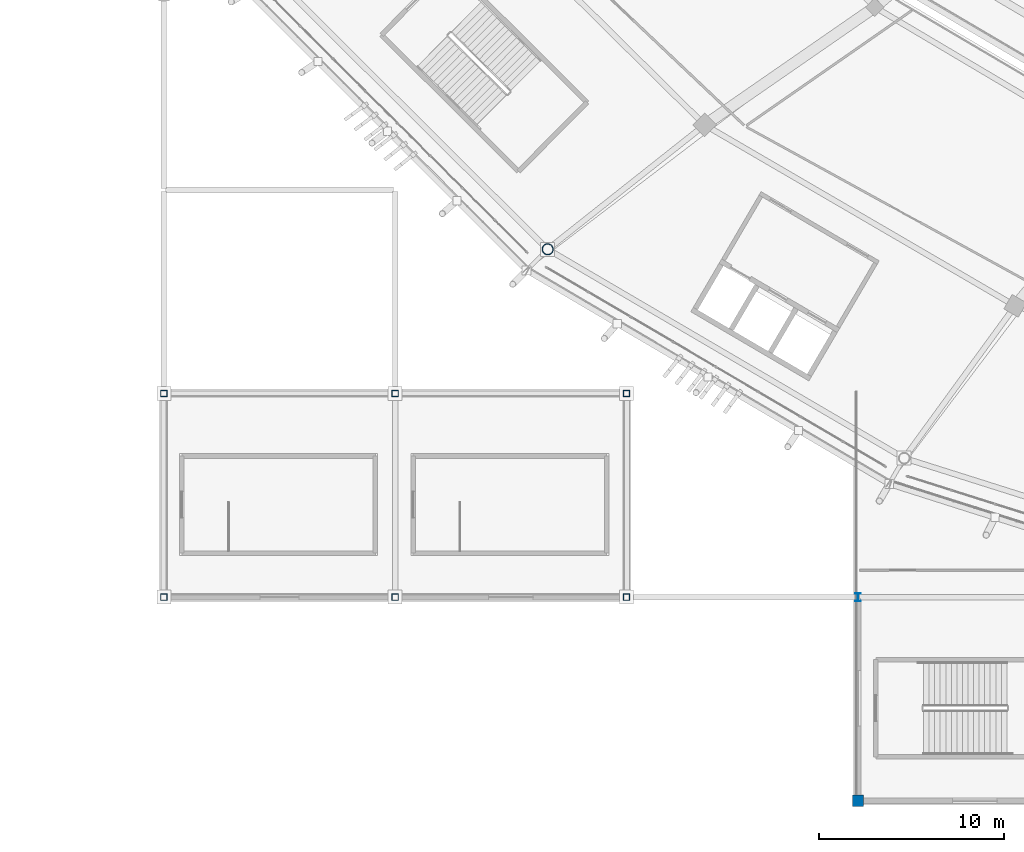
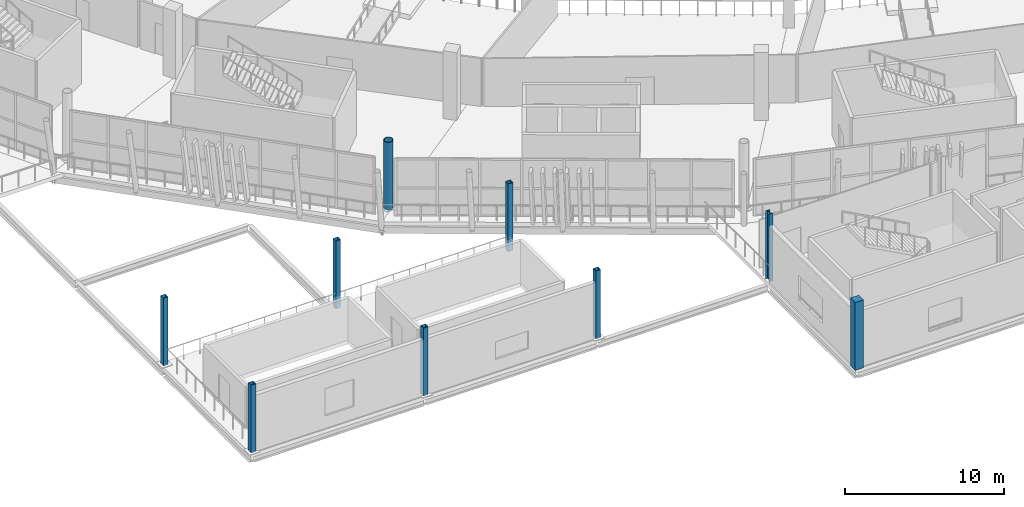
# One storey, part 1 of 178: 9 columns.
"""IFC4 building model written with IfcOpenShell, lengths in metres."""

from ifc_helpers import new_model, si_unit, direction, frame, origin, origin_2d, place, context, subcontext, project, spatial, rectangle, hollow_rectangle, hollow_circle, i_section, extrude, material, material_profile, profile_set, type_object, element, save


model = new_model("IFC4")

# Units and contexts
model_context = context("Model", 3, precision=1e-05, world=origin(), true_north=direction((0.0, 1.0)))
body_context = subcontext(model_context, "Body", "Model", "MODEL_VIEW")
ifc_project = project(units=[si_unit("LENGTHUNIT", "METRE"), si_unit("AREAUNIT", "SQUARE_METRE"), si_unit("VOLUMEUNIT", "CUBIC_METRE"), si_unit("PLANEANGLEUNIT", "RADIAN"), si_unit("MASSUNIT", "GRAM", prefix="KILO")], contexts=[model_context])

# Site, building, storey
site_placement = place(None, origin())
site = spatial("IfcSite", under=ifc_project, at=site_placement, CompositionType="ELEMENT")
building_placement = place(site_placement, origin())
building = spatial("IfcBuilding", under=site, at=building_placement, Name="Zlatoyarsky Gate Stadium", CompositionType="ELEMENT")
storey_placement = place(building_placement, frame((0.0, 0.0, 5.39990234375)))
storey = spatial("IfcBuildingStorey", under=building, at=storey_placement, Name="L01", CompositionType="ELEMENT", Elevation=5.39990234375)

# Columns
ifc_material_1 = material(Name="Concrete C40/50", Category="concrete")
ifc_material_profile_1 = material_profile(ifc_material_1, rectangle(XDim=0.60009765625, YDim=0.60009765625, at=origin_2d()), Name="RC COL 600X600")
ifc_profile_set_1 = profile_set([ifc_material_profile_1], Name="Concrete C40/50")
column_type_1 = type_object("IfcColumnType", Name="CONCRETE COLUMN 600X600", PredefinedType="COLUMN", material=ifc_profile_set_1)
column_1_placement = place(storey_placement, frame((62.0, 0.0, 0.0), z_axis=(0.0, 0.0, 1.0), x_axis=(1.0, 0.0, 0.0)))
element("IfcColumn", 1, at=column_1_placement, inside=storey, type_object=column_type_1, Name="Column RC-C60 WG-6-A on L01", PredefinedType="COLUMN", context=body_context, shape_type="SweptSolid", body=[
    extrude(rectangle(XDim=0.60009765625, YDim=0.60009765625, at=origin_2d()), origin(), (0.0, 0.0, 1.0), 5.2001953125),
])
ifc_material_2 = material(Name="Steel S355", Category="steel")
ifc_material_profile_2 = material_profile(ifc_material_2, i_section(OverallWidth=0.300048828125, OverallDepth=0.449951171875, WebThickness=0.013916015625, FlangeThickness=0.02587890625, FilletRadius=0.027099609375, at=origin_2d()), Name="HEB 450")
ifc_profile_set_2 = profile_set([ifc_material_profile_2], Name="Steel S355")
column_type_2 = type_object("IfcColumnType", Name="STEEL COLUMN HEB 450", PredefinedType="COLUMN", material=ifc_profile_set_2)
column_2_placement = place(storey_placement, frame((62.0, 11.0, 0.0), z_axis=(0.0, 0.0, 1.0), x_axis=(1.0, 0.0, 0.0)))
element("IfcColumn", 2, at=column_2_placement, inside=storey, type_object=column_type_2, Name="Column ST-C450 WG-6-B on L01", PredefinedType="COLUMN", context=body_context, shape_type="SweptSolid", body=[
    extrude(i_section(OverallWidth=0.300048828125, OverallDepth=0.449951171875, WebThickness=0.013916015625, FlangeThickness=0.02587890625, FilletRadius=0.027099609375, at=origin_2d()), origin(), (0.0, 0.0, 1.0), 5.2001953125),
])
ifc_material_profile_3 = material_profile(ifc_material_2, hollow_rectangle(XDim=0.35009765625, YDim=0.35009765625, WallThickness=0.02001953125, at=origin_2d()), Name="SHS 350X350X20")
ifc_profile_set_3 = profile_set([ifc_material_profile_3], Name="Steel S355")
column_type_3 = type_object("IfcColumnType", Name="STEEL SQUARE COLUMN SHS 350X350X20", PredefinedType="COLUMN", material=ifc_profile_set_3)
for number, where, z_axis, x_axis, name in (
    (3, (24.5, 11.0, 0.0), (0.0, 0.0, 1.0), (1.0, 0.0, 0.0), "Column ST-CS350 WG-3-B on L01"),
    (4, (24.5, 22.0, 0.0), (0.0, 0.0, 1.0), (1.0, 0.0, 0.0), "Column ST-CS350 WG-3-C on L01"),
    (5, (37.0, 11.0, 0.0), (0.0, 0.0, 1.0), (1.0, 0.0, 0.0), "Column ST-CS350 WG-4-B on L01"),
    (6, (37.0, 22.0, 0.0), (0.0, 0.0, 1.0), (1.0, 0.0, 0.0), "Column ST-CS350 WG-4-C on L01"),
    (7, (49.5, 11.0, 0.0), (0.0, 0.0, 1.0), (1.0, 0.0, 0.0), "Column ST-CS350 WG-5-B on L01"),
    (8, (49.5, 22.0, 0.0), (0.0, 0.0, 1.0), (1.0, 0.0, 0.0), "Column ST-CS350 WG-5-C on L01"),
):
    element("IfcColumn", number, at=place(storey_placement, frame(where, z_axis=z_axis, x_axis=x_axis)), inside=storey, type_object=column_type_3, Name=name, PredefinedType="COLUMN", context=body_context, shape_type="SweptSolid", body=[
        extrude(hollow_rectangle(XDim=0.35009765625, YDim=0.35009765625, WallThickness=0.02001953125, at=origin_2d()), origin(), (0.0, 0.0, 1.0), 5.2001953125),
    ])
ifc_material_profile_4 = material_profile(ifc_material_2, hollow_circle(Radius=0.304931640625, WallThickness=0.030029296875, at=origin_2d()), Name="CHS 610X30")
ifc_profile_set_4 = profile_set([ifc_material_profile_4], Name="Steel S355")
column_type_4 = type_object("IfcColumnType", Name="STEEL TUBULAR COLUMN CHS 610X30", PredefinedType="COLUMN", material=ifc_profile_set_4)
column_3_placement = place(storey_placement, frame((45.239013671875, 29.79541015625, 0.0), z_axis=(0.0, 0.0, 1.0), x_axis=(-0.707106781187, -0.707106781187, 0.0)))
element("IfcColumn", 9, at=column_3_placement, inside=storey, type_object=column_type_4, Name="Column ST-C610 RC-15 on L01", PredefinedType="COLUMN", context=body_context, shape_type="SweptSolid", body=[
    extrude(hollow_circle(Radius=0.304931640625, WallThickness=0.030029296875, at=origin_2d()), origin(), (0.0, 0.0, 1.0), 5.2001953125),
])

save(model, "model.ifc")
